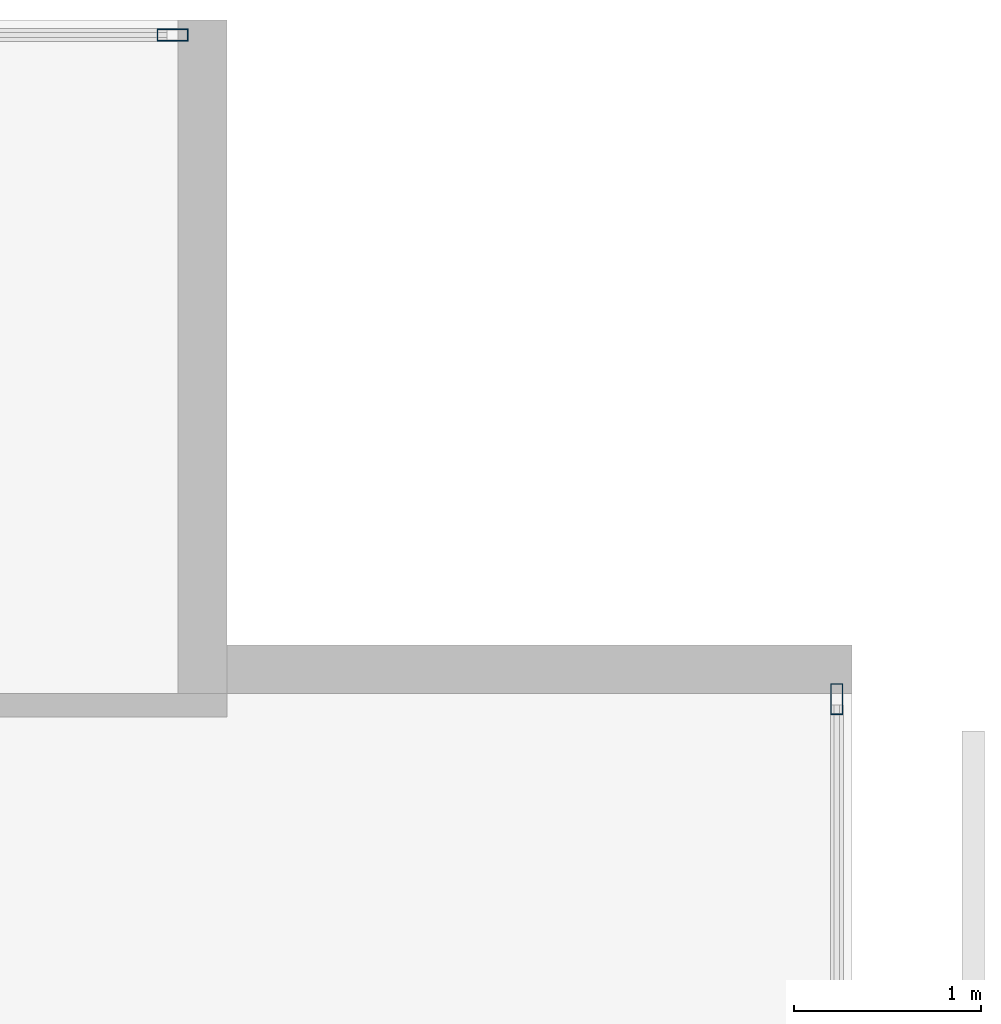
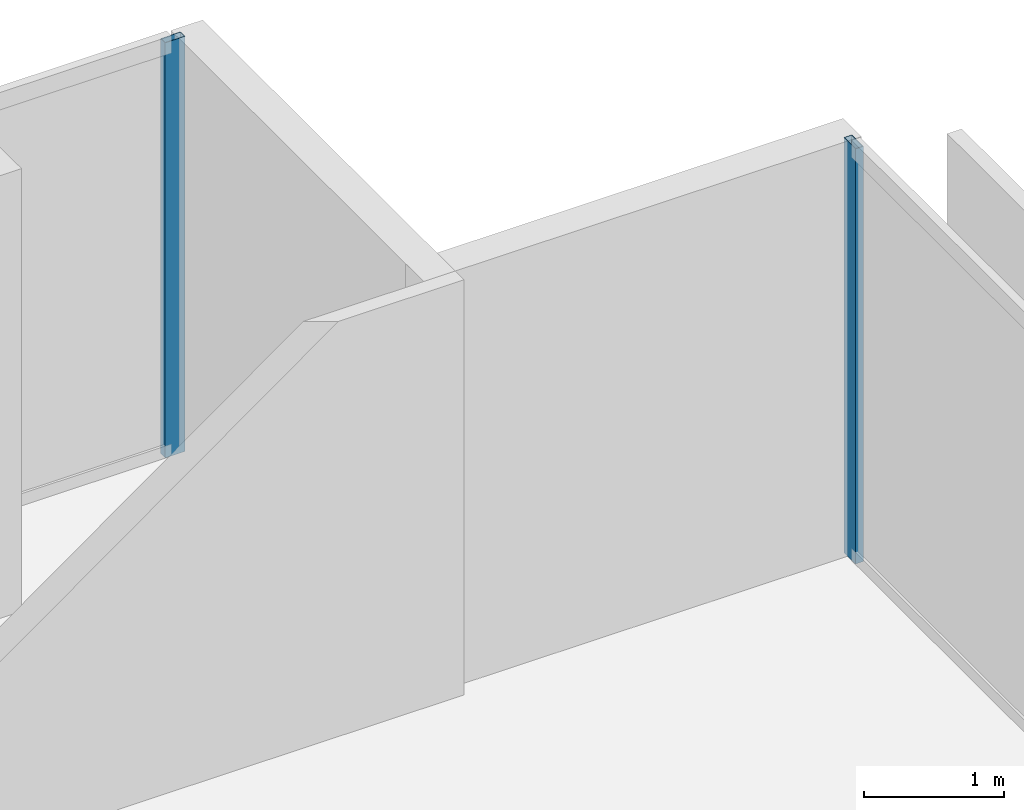
# One storey, part 31 of 40: 2 members, 2 elements without a shape of their own.
"""IFC4 building model written with IfcOpenShell, lengths in metres."""

from ifc_helpers import new_model, si_unit, direction, frame, origin, origin_2d, place, context, subcontext, project, spatial, hollow_rectangle, extrude, material, layer, layer_set, material_profile, profile_set, type_object, element, aggregate, save


model = new_model("IFC4")

# Units and contexts
model_context = context("Model", 3, precision=1e-05, world=origin(), true_north=direction((0.0, 1.0)))
body_context = subcontext(model_context, "Body", "Model", "MODEL_VIEW")
ifc_project = project(units=[si_unit("LENGTHUNIT", "METRE"), si_unit("AREAUNIT", "SQUARE_METRE"), si_unit("VOLUMEUNIT", "CUBIC_METRE"), si_unit("PLANEANGLEUNIT", "RADIAN"), si_unit("MASSUNIT", "GRAM", prefix="KILO")], contexts=[model_context])

# Site, building, storey
site_placement = place(None, origin())
site = spatial("IfcSite", under=ifc_project, at=site_placement, CompositionType="ELEMENT")
building_placement = place(site_placement, origin())
building = spatial("IfcBuilding", under=site, at=building_placement, Name="Maruvema Waterfront Hotel and Observation Tower", CompositionType="ELEMENT")
storey_placement = place(building_placement, frame((0.0, 0.0, 80.85009765625)))
storey = spatial("IfcBuildingStorey", under=building, at=storey_placement, Name="L19", CompositionType="ELEMENT", Elevation=80.85009765625)

# Curtain wall, member
ifc_material_1 = material(Name="Anodised bronze aluminium and solar-control low-E IGU", Category="aluminium")
ifc_layer = layer(ifc_material_1, 0.159912109375, Name="Zone 1 Bronze Inner Thermal Curtain Wall System CW-02")
ifc_layer_set = layer_set([ifc_layer], Name="Anodised bronze aluminium and solar-control low-E IGU")
curtain_wall_type = type_object("IfcCurtainWallType", Name="Zone 1 Bronze Inner Thermal Curtain Wall System CW-02", PredefinedType="USERDEFINED", material=ifc_layer_set)
curtain_wall_1_placement = place(storey_placement, origin())
curtain_wall_1 = element("IfcCurtainWall", 1, at=curtain_wall_1_placement, inside=storey, type_object=curtain_wall_type, Name="L19 Curtain Wall CW-L19-E", ObjectType="UNITISED CURTAIN WALL", PredefinedType="USERDEFINED")
ifc_material_2 = material(Name="Anodised architectural bronze aluminium", Category="aluminium")
ifc_material_profile = material_profile(ifc_material_2, hollow_rectangle(XDim=0.06494140625, YDim=0.1650390625, WallThickness=0.00390625, at=origin_2d()), Name="ALU-M65x165")
ifc_profile_set = profile_set([ifc_material_profile], Name="Anodised architectural bronze aluminium")
member_type = type_object("IfcMemberType", Name="Curtain Wall Primary Mullion ALU-M65x165", PredefinedType="MULLION", material=ifc_profile_set)
member_1_placement = place(storey_placement, frame((64.719970703125, 50.3701171875, 0.0), z_axis=(0.0, 0.0, 1.0), x_axis=(-1.0, 0.0, 0.0)))
member_1 = element("IfcMember", 2, at=member_1_placement, type_object=member_type, Name="CW-02 mullion 7", PredefinedType="MULLION", context=body_context, shape_type="SweptSolid", body=[
    extrude(hollow_rectangle(XDim=0.06494140625, YDim=0.1650390625, WallThickness=0.00390625, at=origin_2d()), origin(), (0.0, 0.0, 1.0), 3.60986328125),
])
aggregate(curtain_wall_1, [member_1])

curtain_wall_2_placement = place(storey_placement, origin())
curtain_wall_2 = element("IfcCurtainWall", 3, at=curtain_wall_2_placement, inside=storey, type_object=curtain_wall_type, Name="L19 Curtain Wall CW-L19-NE", ObjectType="UNITISED CURTAIN WALL", PredefinedType="USERDEFINED")
member_2_placement = place(storey_placement, frame((61.169921875, 53.919921875, 0.0), z_axis=(0.0, 0.0, 1.0), x_axis=(0.0, -1.0, 0.0)))
member_2 = element("IfcMember", 4, at=member_2_placement, type_object=member_type, Name="CW-02 mullion 1", PredefinedType="MULLION", context=body_context, shape_type="SweptSolid", body=[
    extrude(hollow_rectangle(XDim=0.06494140625, YDim=0.1650390625, WallThickness=0.00390625, at=origin_2d()), origin(), (0.0, 0.0, 1.0), 3.60986328125),
])
aggregate(curtain_wall_2, [member_2])

save(model, "model.ifc")
